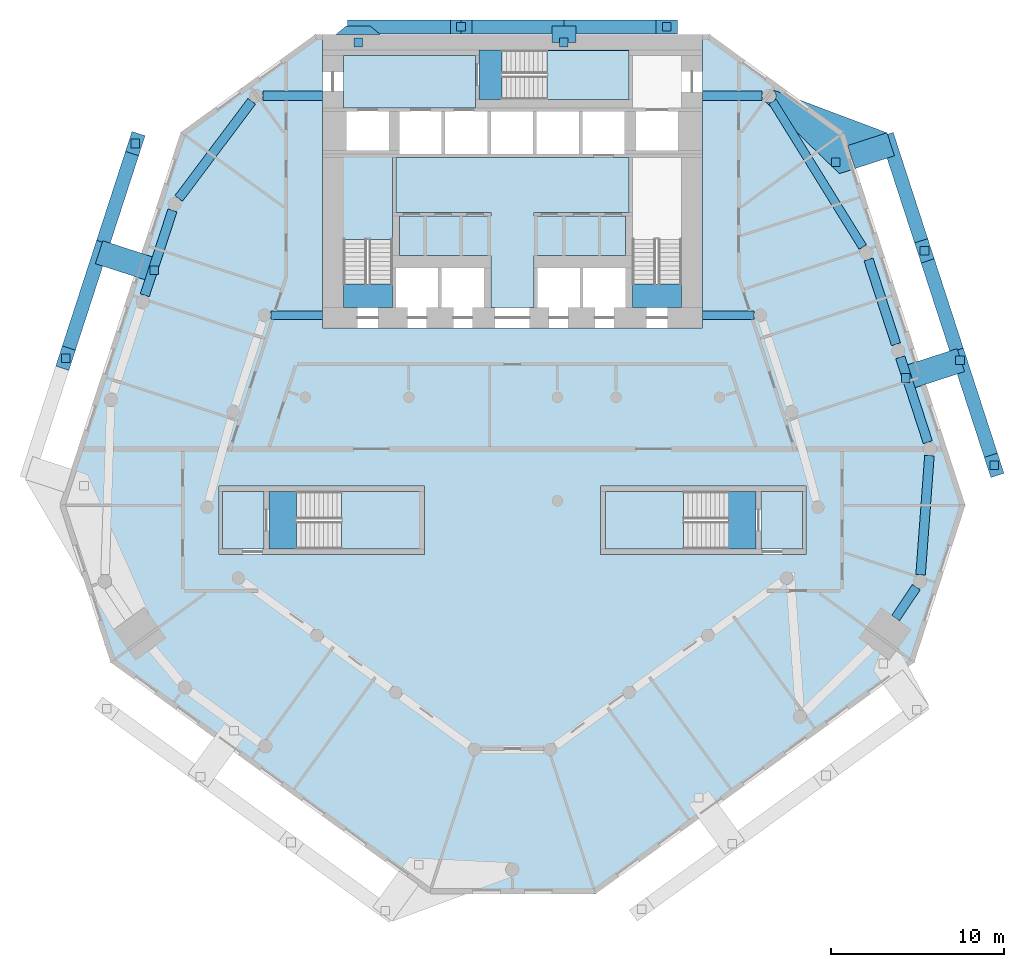
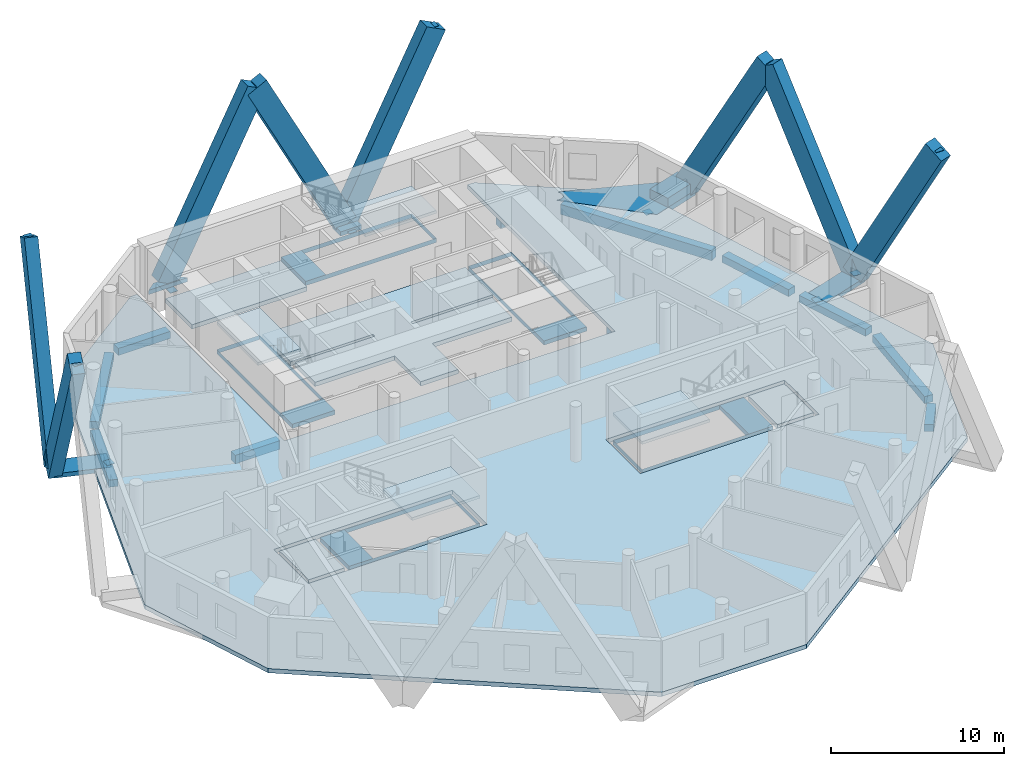
# One storey, part 2 of 10: 14 members, 14 slabs, 12 discrete accessories, 11 beams, 4 elements without a shape of their own.
"""IFC4 building model written with IfcOpenShell, lengths in metres."""

from ifc_helpers import new_model, si_unit, direction, frame, origin, origin_2d, place, context, subcontext, project, spatial, polyline, rectangle, outline, extrude, material, layer, layer_set, material_profile, profile_set, type_object, element, aggregate, save


model = new_model("IFC4")

# Units and contexts
model_context = context("Model", 3, precision=1e-05, world=origin(), true_north=direction((0.0, 1.0)))
body_context = subcontext(model_context, "Body", "Model", "MODEL_VIEW")
ifc_project = project(units=[si_unit("LENGTHUNIT", "METRE"), si_unit("AREAUNIT", "SQUARE_METRE"), si_unit("VOLUMEUNIT", "CUBIC_METRE"), si_unit("PLANEANGLEUNIT", "RADIAN"), si_unit("MASSUNIT", "GRAM", prefix="KILO")], contexts=[model_context])

# Site, building, storey
site_placement = place(None, origin())
site = spatial("IfcSite", under=ifc_project, at=site_placement, CompositionType="ELEMENT")
building_placement = place(site_placement, origin())
building = spatial("IfcBuilding", under=site, at=building_placement, Name="White Candle Pilgrim Tower", CompositionType="ELEMENT")
storey_placement = place(building_placement, frame((0.0, 0.0, 54.60009765625)))
storey = spatial("IfcBuildingStorey", under=building, at=storey_placement, Name="L10", CompositionType="ELEMENT", Elevation=54.60009765625)

# Member
ifc_material_1 = material(Name="Concrete C80/95, white", Category="concrete")
ifc_material_profile_1 = material_profile(ifc_material_1, rectangle(XDim=0.800048828125, YDim=1.39990234375, at=origin_2d()), Name="RC-DG 800x1400")
ifc_profile_set_1 = profile_set([ifc_material_profile_1], Name="Concrete C80/95, white")
member_type_1 = type_object("IfcMemberType", Name="Exoskeleton diagonal RC-DG 800x1400 C80/95", PredefinedType="BRACE", material=ifc_profile_set_1)
member_1_placement = place(storey_placement, frame((72.97900390625, 88.449951171875, 0.0), z_axis=(0.453783992732, 0.0, 0.891111714624), x_axis=(0.0, 1.0, 0.0)))
member_1 = element("IfcMember", 1, at=member_1_placement, inside=storey, type_object=member_type_1, Name="Exoskeleton diagonal EX004", PredefinedType="BRACE", context=body_context, shape_type="SweptSolid", body=[
    extrude(rectangle(XDim=0.800048828125, YDim=1.39990234375, at=origin_2d()), origin(), (0.0, 0.0, 1.0), 13.129638671875),
])

member_2_placement = place(storey_placement, frame((72.97900390625, 88.449951171875, 0.0), z_axis=(-0.453783992732, 0.0, 0.891111714624), x_axis=(0.0, -1.0, 0.0)))
member_2 = element("IfcMember", 2, at=member_2_placement, inside=storey, type_object=member_type_1, Name="Exoskeleton diagonal EX005", PredefinedType="BRACE", context=body_context, shape_type="SweptSolid", body=[
    extrude(rectangle(XDim=0.800048828125, YDim=1.39990234375, at=origin_2d()), origin(), (0.0, 0.0, 1.0), 13.129638671875),
])

member_3_placement = place(storey_placement, frame((61.06298828125, 88.449951171875, 0.0), z_axis=(0.453783992732, 0.0, 0.891111714624), x_axis=(0.0, 1.0, 0.0)))
element("IfcMember", 3, at=member_3_placement, inside=storey, type_object=member_type_1, Name="Exoskeleton diagonal EX006", PredefinedType="BRACE", context=body_context, shape_type="SweptSolid", body=[
    extrude(rectangle(XDim=0.800048828125, YDim=1.39990234375, at=origin_2d()), origin(), (0.0, 0.0, 1.0), 13.129638671875),
])

member_4_placement = place(storey_placement, frame((95.92333984375, 69.13525390625, 0.0), z_axis=(0.14819090652, -0.45607202628, 0.877517955411), x_axis=(0.951053989888, 0.30902476975, 0.0)))
member_4 = element("IfcMember", 4, at=member_4_placement, inside=storey, type_object=member_type_1, Name="Exoskeleton diagonal EX016", PredefinedType="BRACE", context=body_context, shape_type="SweptSolid", body=[
    extrude(rectangle(XDim=0.800048828125, YDim=1.39990234375, at=origin_2d()), origin(), (0.0, 0.0, 1.0), 13.3330078125),
])

member_5_placement = place(storey_placement, frame((95.92333984375, 69.13525390625, 0.0), z_axis=(-0.153061280626, 0.471129292368, 0.868682585439), x_axis=(-0.951067138968, -0.308984299236, 0.0)))
member_5 = element("IfcMember", 5, at=member_5_placement, inside=storey, type_object=member_type_1, Name="Exoskeleton diagonal EX017", PredefinedType="BRACE", context=body_context, shape_type="SweptSolid", body=[
    extrude(rectangle(XDim=0.800048828125, YDim=1.39990234375, at=origin_2d()), origin(), (0.0, 0.0, 1.0), 13.468505859375),
])

member_6_placement = place(storey_placement, frame((91.861572265625, 81.63623046875, 0.0), z_axis=(0.149597129477, -0.460367682838, 0.875032739645), x_axis=(0.951047650614, 0.309044278804, 0.0)))
element("IfcMember", 6, at=member_6_placement, inside=storey, type_object=member_type_1, Name="Exoskeleton diagonal EX018", PredefinedType="BRACE", context=body_context, shape_type="SweptSolid", body=[
    extrude(rectangle(XDim=0.800048828125, YDim=1.39990234375, at=origin_2d()), origin(), (0.0, 0.0, 1.0), 13.370849609375),
])

member_7_placement = place(storey_placement, frame((46.107421875, 75.3857421875, 0.0), z_axis=(0.152393721239, 0.469016864282, 0.869942144482), x_axis=(-0.951055977459, 0.309018652737, 0.0)))
member_7 = element("IfcMember", 7, at=member_7_placement, inside=storey, type_object=member_type_1, Name="Exoskeleton diagonal EX052", PredefinedType="BRACE", context=body_context, shape_type="SweptSolid", body=[
    extrude(rectangle(XDim=0.800048828125, YDim=1.39990234375, at=origin_2d()), origin(), (0.0, 0.0, 1.0), 13.44921875),
])

member_8_placement = place(storey_placement, frame((46.107421875, 75.3857421875, 0.0), z_axis=(-0.148877630459, -0.458225671741, 0.876278885348), x_axis=(0.951061954522, -0.309000256733, 0.0)))
member_8 = element("IfcMember", 8, at=member_8_placement, inside=storey, type_object=member_type_1, Name="Exoskeleton diagonal EX053", PredefinedType="BRACE", context=body_context, shape_type="SweptSolid", body=[
    extrude(rectangle(XDim=0.800048828125, YDim=1.39990234375, at=origin_2d()), origin(), (0.0, 0.0, 1.0), 13.351806640625),
])

ifc_material_2 = material(Name="Concrete C70/85, white", Category="concrete")
ifc_layer_1 = layer(ifc_material_2, 0.300048828125)
ifc_layer_set_1 = layer_set([ifc_layer_1], Name="Node tie strut 3350x1400x300 C70/85")
member_type_2 = type_object("IfcMemberType", Name="Node tie strut 3350x1400x300 C70/85", PredefinedType="STRUT", material=ifc_layer_set_1)
member_9_placement = place(storey_placement, frame((94.3779296875, 68.633056640625, -0.30029296875), z_axis=(0.0, 0.0, 1.0), x_axis=(-0.309016994375, 0.951056516295, 0.0)))
member_9 = element("IfcMember", 9, at=member_9_placement, inside=storey, type_object=member_type_2, Name="Node tie strut NC011", PredefinedType="STRUT", context=body_context, shape_type="SweptSolid", body=[
    extrude(rectangle(XDim=1.39990234375, YDim=3.35009765625, at=origin_2d()), origin(), (0.0, 0.0, 1.0), 0.300048828125),
])

member_10_placement = place(storey_placement, frame((0.0, 0.0, -0.35009765625)))
member_10 = element("IfcMember", 10, at=member_10_placement, inside=storey, type_object=member_type_2, Name="Node tie strut NC012", PredefinedType="STRUT", context=body_context, shape_type="SweptSolid", body=[
    extrude(outline(polyline([(88.939453125, 79.950927734375), (92.12548828125, 80.986083984375), (91.69287109375, 82.3173828125), (84.988525390625, 84.8388671875), (85.01318359375, 84.82958984375), (85.036865234375, 84.818603515625), (85.06005859375, 84.806396484375), (85.082275390625, 84.79248046875), (85.103515625, 84.77734375), (85.123779296875, 84.7607421875), (85.142822265625, 84.742919921875), (85.16064453125, 84.7236328125), (85.17724609375, 84.70361328125), (85.192626953125, 84.68212890625), (85.206298828125, 84.659912109375), (85.21875, 84.636962890625), (85.2294921875, 84.613037109375), (85.23876953125, 84.588623046875), (85.246337890625, 84.5634765625), (85.252197265625, 84.5380859375), (85.256591796875, 84.51220703125), (85.259033203125, 84.486083984375), (85.260009765625, 84.4599609375), (85.259033203125, 84.433837890625), (85.256591796875, 84.40771484375), (85.252197265625, 84.382080078125), (85.246337890625, 84.3564453125), (85.23876953125, 84.331298828125), (85.2294921875, 84.306884765625), (85.21875, 84.283203125), (85.206298828125, 84.260009765625), (85.192626953125, 84.23779296875), (85.17724609375, 84.216552734375), (85.16064453125, 84.1962890625), (85.142822265625, 84.17724609375), (85.123779296875, 84.1591796875), (85.103515625, 84.142578125), (85.082275390625, 84.12744140625), (85.06005859375, 84.113525390625), (85.036865234375, 84.101318359375), (85.01318359375, 84.09033203125), (84.988525390625, 84.081298828125), (84.96337890625, 84.073486328125), (84.93798828125, 84.067626953125), (84.912109375, 84.0634765625), (84.88623046875, 84.060791015625), (84.860107421875, 84.06005859375), (84.833740234375, 84.060791015625), (84.807861328125, 84.0634765625), (84.781982421875, 84.067626953125), (84.756591796875, 84.073486328125), (84.7314453125, 84.081298828125), (84.706787109375, 84.09033203125), (84.68310546875, 84.101318359375), (84.659912109375, 84.113525390625), (84.6376953125, 84.12744140625), (84.616455078125, 84.142578125), (84.59619140625, 84.1591796875), (84.5771484375, 84.17724609375), (88.939453125, 79.950927734375)])), origin(), (0.0, 0.0, 1.0), 0.35009765625),
])

member_11_placement = place(storey_placement, origin())
element("IfcMember", 11, at=member_11_placement, inside=storey, type_object=member_type_2, Name="Node tie strut NC012", PredefinedType="STRUT", context=body_context, shape_type="SweptSolid", body=[
    extrude(outline(polyline([(89.843017578125, 80.244384765625), (92.12548828125, 80.986083984375), (91.69287109375, 82.3173828125), (89.410400390625, 81.575927734375), (89.843017578125, 80.244384765625)])), origin(), (0.0, 0.0, 1.0), 0.64990234375),
])

member_12_placement = place(storey_placement, frame((47.653076171875, 74.883544921875, -0.30029296875), z_axis=(0.0, 0.0, 1.0), x_axis=(-0.309016994375, -0.951056516295, 0.0)))
member_12 = element("IfcMember", 12, at=member_12_placement, inside=storey, type_object=member_type_2, Name="Node tie strut NC019", PredefinedType="STRUT", context=body_context, shape_type="SweptSolid", body=[
    extrude(rectangle(XDim=1.39990234375, YDim=3.35009765625, at=origin_2d()), origin(), (0.0, 0.0, 1.0), 0.300048828125),
])

ifc_layer_2 = layer(ifc_material_2, 0.300048828125)
ifc_layer_set_2 = layer_set([ifc_layer_2], Name="Node tie strut 950x1400x300 C70/85")
member_type_3 = type_object("IfcMemberType", Name="Node tie strut 950x1400x300 C70/85", PredefinedType="STRUT", material=ifc_layer_set_2)
member_13_placement = place(storey_placement, frame((72.97900390625, 88.02490234375, -0.30029296875), z_axis=(0.0, 0.0, 1.0), x_axis=(-1.0, 0.0, 0.0)))
member_13 = element("IfcMember", 13, at=member_13_placement, inside=storey, type_object=member_type_3, Name="Node tie strut NC013", PredefinedType="STRUT", context=body_context, shape_type="SweptSolid", body=[
    extrude(rectangle(XDim=1.39990234375, YDim=0.949951171875, at=origin_2d()), origin(), (0.0, 0.0, 1.0), 0.300048828125),
])

member_14_placement = place(storey_placement, frame((0.0, 0.0, -0.300048828125)))
member_14 = element("IfcMember", 14, at=member_14_placement, inside=storey, type_object=member_type_3, Name="Node tie strut NC014", PredefinedType="STRUT", context=body_context, shape_type="SweptSolid", body=[
    extrude(outline(polyline([(59.762939453125, 88.0), (62.363037109375, 88.0), (61.762939453125, 88.5), (60.363037109375, 88.5), (59.762939453125, 88.0)])), origin(), (0.0, 0.0, 1.0), 0.300048828125),
])

# Beams
ifc_material_3 = material(Name="Concrete C50/60", Category="concrete")
ifc_material_profile_2 = material_profile(ifc_material_3, rectangle(XDim=0.5, YDim=0.60009765625, at=origin_2d()), Name="RC-BM 500x600")
ifc_profile_set_2 = profile_set([ifc_material_profile_2], Name="Concrete C50/60")
beam_type_1 = type_object("IfcBeamType", Name="Ring beam RC-BM 500x600 C50/60", PredefinedType="BEAM", material=ifc_profile_set_2)
for number, where, z_axis, x_axis, name in (
    (15, (83.985107421875, 71.760009765625, -0.60009765625), (-1.0, 0.0, 0.0), (0.0, -1.0, 0.0), "L10 ring beam R10"),
    (16, (56.014892578125, 71.760009765625, -0.60009765625), (1.0, 0.0, 0.0), (0.0, 1.0, 0.0), "L10 ring beam R11"),
):
    element("IfcBeam", number, at=place(storey_placement, frame(where, z_axis=z_axis, x_axis=x_axis)), inside=storey, type_object=beam_type_1, Name=name, PredefinedType="BEAM", context=body_context, shape_type="SweptSolid", body=[
        extrude(rectangle(XDim=0.5, YDim=0.60009765625, at=origin_2d()), origin(), (0.0, 0.0, 1.0), 2.985107421875),
    ])
ifc_material_profile_3 = material_profile(ifc_material_3, rectangle(XDim=0.5, YDim=0.699951171875, at=origin_2d()), Name="RC-BM 500x700")
ifc_profile_set_3 = profile_set([ifc_material_profile_3], Name="Concrete C50/60")
beam_type_2 = type_object("IfcBeamType", Name="Spandrel beam RC-BM 500x700 C50/60", PredefinedType="BEAM", material=ifc_profile_set_3)
beam_1_placement = place(storey_placement, frame((90.289306640625, 75.69970703125, -0.650146484375), z_axis=(-0.526800809553, 0.849988768781, 0.0), x_axis=(-0.849988768781, -0.526800809553, 0.0)))
element("IfcBeam", 17, at=beam_1_placement, inside=storey, type_object=beam_type_2, Name="L10 spandrel beam T10", PredefinedType="BEAM", context=body_context, shape_type="SweptSolid", body=[
    extrude(rectangle(XDim=0.5, YDim=0.699951171875, at=origin_2d()), origin(), (0.0, 0.0, 1.0), 9.906494140625),
])
ifc_material_profile_4 = material_profile(ifc_material_3, rectangle(XDim=0.550048828125, YDim=0.5, at=origin_2d()), Name="RC-BM 550x500")
ifc_profile_set_4 = profile_set([ifc_material_profile_4], Name="Concrete C50/60")
beam_type_3 = type_object("IfcBeamType", Name="Spandrel beam RC-BM 550x500 C50/60", PredefinedType="BEAM", material=ifc_profile_set_4)
beam_2_placement = place(storey_placement, frame((92.192626953125, 54.214599609375, -0.550048828125), z_axis=(0.556641005169, 0.830753147069, 0.0), x_axis=(-0.830753147069, 0.556641005169, 0.0)))
element("IfcBeam", 18, at=beam_2_placement, inside=storey, type_object=beam_type_3, Name="L10 spandrel beam T06", PredefinedType="BEAM", context=body_context, shape_type="SweptSolid", body=[
    extrude(rectangle(XDim=0.550048828125, YDim=0.5, at=origin_2d()), origin(), (0.0, 0.0, 1.0), 2.146484375),
])
beam_3_placement = place(storey_placement, frame((93.6396484375, 56.728759765625, -0.550048828125), z_axis=(0.073900311906, 0.99726563357, 0.0), x_axis=(-0.99726563357, 0.073900311906, 0.0)))
element("IfcBeam", 19, at=beam_3_placement, inside=storey, type_object=beam_type_3, Name="L10 spandrel beam T07", PredefinedType="BEAM", context=body_context, shape_type="SweptSolid", body=[
    extrude(rectangle(XDim=0.550048828125, YDim=0.5, at=origin_2d()), origin(), (0.0, 0.0, 1.0), 6.9111328125),
])
for number, where, z_axis, x_axis, name in (
    (20, (94.056640625, 64.400390625, -0.550048828125), (-0.308682827488, 0.951165028801, 0.0), (-0.951165028801, -0.308682827488, 0.0), "L10 spandrel beam T08"),
    (21, (92.216552734375, 70.0703125, -0.550048828125), (-0.308682827488, 0.951165028801, 0.0), (-0.951165028801, -0.308682827488, 0.0), "L10 spandrel beam T09"),
):
    element("IfcBeam", number, at=place(storey_placement, frame(where, z_axis=z_axis, x_axis=x_axis)), inside=storey, type_object=beam_type_3, Name=name, PredefinedType="BEAM", context=body_context, shape_type="SweptSolid", body=[
        extrude(rectangle(XDim=0.550048828125, YDim=0.5, at=origin_2d()), origin(), (0.0, 0.0, 1.0), 5.161376953125),
    ])
for number, where, z_axis, x_axis, name in (
    (22, (84.4599609375, 84.4599609375, -0.550048828125), (-1.0, 0.0, 0.0), (0.0, -1.0, 0.0), "L10 spandrel beam T11"),
    (23, (55.5400390625, 84.4599609375, -0.550048828125), (1.0, 0.0, 0.0), (0.0, 1.0, 0.0), "L10 spandrel beam T12"),
):
    element("IfcBeam", number, at=place(storey_placement, frame(where, z_axis=z_axis, x_axis=x_axis)), inside=storey, type_object=beam_type_3, Name=name, PredefinedType="BEAM", context=body_context, shape_type="SweptSolid", body=[
        extrude(rectangle(XDim=0.550048828125, YDim=0.5, at=origin_2d()), origin(), (0.0, 0.0, 1.0), 3.4599609375),
    ])
beam_4_placement = place(storey_placement, frame((54.899658203125, 84.140380859375, -0.550048828125), z_axis=(-0.601237643972, -0.79907026942, 0.0), x_axis=(0.79907026942, -0.601237643972, 0.0)))
element("IfcBeam", 24, at=beam_4_placement, inside=storey, type_object=beam_type_3, Name="L10 spandrel beam T13", PredefinedType="BEAM", context=body_context, shape_type="SweptSolid", body=[
    extrude(rectangle(XDim=0.550048828125, YDim=0.5, at=origin_2d()), origin(), (0.0, 0.0, 1.0), 7.0341796875),
])
beam_5_placement = place(storey_placement, frame((50.305908203125, 77.81982421875, -0.550048828125), z_axis=(-0.310165508273, -0.950682574511, 0.0), x_axis=(0.950682574511, -0.310165508273, 0.0)))
element("IfcBeam", 25, at=beam_5_placement, inside=storey, type_object=beam_type_3, Name="L10 spandrel beam T14", PredefinedType="BEAM", context=body_context, shape_type="SweptSolid", body=[
    extrude(rectangle(XDim=0.550048828125, YDim=0.5, at=origin_2d()), origin(), (0.0, 0.0, 1.0), 5.164306640625),
])

# Slabs
ifc_material_4 = material(Name="Concrete C40/50", Category="concrete")
ifc_layer_3 = layer(ifc_material_4, 0.300048828125)
ifc_layer_set_3 = layer_set([ifc_layer_3], Name="Core floor slab 300 mm Concrete C40/50")
slab_type_1 = type_object("IfcSlabType", Name="Core floor slab 300 mm Concrete C40/50", PredefinedType="FLOOR", material=ifc_layer_set_3)
slab_1_placement = place(storey_placement, frame((0.0, 0.0, -0.300048828125)))
element("IfcSlab", 26, at=slab_1_placement, inside=storey, type_object=slab_type_1, Name="CF-L10-01", PredefinedType="FLOOR", context=body_context, shape_type="SweptSolid", body=[
    extrude(outline(polyline([(55.60009765625, 58.199951171875), (53.199951171875, 58.199951171875), (53.199951171875, 61.550048828125), (55.60009765625, 61.550048828125), (55.60009765625, 58.199951171875)])), origin(), (0.0, 0.0, 1.0), 0.300048828125),
])
slab_2_placement = place(storey_placement, frame((0.0, 0.0, -0.300048828125)))
element("IfcSlab", 27, at=slab_2_placement, inside=storey, type_object=slab_type_1, Name="CF-L10-02", PredefinedType="FLOOR", context=body_context, shape_type="SweptSolid", body=[
    extrude(outline(polyline([(55.89990234375, 58.199951171875), (55.89990234375, 61.550048828125), (64.60009765625, 61.550048828125), (64.60009765625, 58.199951171875), (55.89990234375, 58.199951171875)]), holes=[polyline([(57.501953125, 61.548095703125), (57.501953125, 58.201904296875), (64.597900390625, 58.201904296875), (64.597900390625, 61.548095703125), (57.501953125, 61.548095703125)])]), origin(), (0.0, 0.0, 1.0), 0.300048828125),
])
slab_3_placement = place(storey_placement, frame((0.0, 0.0, -0.300048828125)))
element("IfcSlab", 28, at=slab_3_placement, inside=storey, type_object=slab_type_1, Name="CF-L10-03", PredefinedType="FLOOR", context=body_context, shape_type="SweptSolid", body=[
    extrude(outline(polyline([(75.39990234375, 58.199951171875), (75.39990234375, 61.550048828125), (84.10009765625, 61.550048828125), (84.10009765625, 58.199951171875), (75.39990234375, 58.199951171875)]), holes=[polyline([(82.498046875, 58.201904296875), (82.498046875, 61.548095703125), (75.402099609375, 61.548095703125), (75.402099609375, 58.201904296875), (82.498046875, 58.201904296875)])]), origin(), (0.0, 0.0, 1.0), 0.300048828125),
])
slab_4_placement = place(storey_placement, frame((0.0, 0.0, -0.300048828125)))
element("IfcSlab", 29, at=slab_4_placement, inside=storey, type_object=slab_type_1, Name="CF-L10-04", PredefinedType="FLOOR", context=body_context, shape_type="SweptSolid", body=[
    extrude(outline(polyline([(86.800048828125, 58.199951171875), (84.39990234375, 58.199951171875), (84.39990234375, 61.550048828125), (86.800048828125, 61.550048828125), (86.800048828125, 58.199951171875)])), origin(), (0.0, 0.0, 1.0), 0.300048828125),
])
slab_5_placement = place(storey_placement, frame((0.0, 0.0, -0.300048828125)))
element("IfcSlab", 30, at=slab_5_placement, inside=storey, type_object=slab_type_1, Name="CF-L10-05", PredefinedType="FLOOR", context=body_context, shape_type="SweptSolid", body=[
    extrude(outline(polyline([(76.75, 87.10009765625), (76.75, 86.800048828125), (76.75, 84.25), (68.050048828125, 84.25), (68.050048828125, 86.800048828125), (68.050048828125, 87.10009765625), (76.75, 87.10009765625)]), holes=[polyline([(69.402099609375, 87.097900390625), (69.402099609375, 84.251953125), (76.748046875, 84.251953125), (76.748046875, 87.097900390625), (69.402099609375, 87.097900390625)])]), origin(), (0.0, 0.0, 1.0), 0.300048828125),
])
slab_6_placement = place(storey_placement, frame((0.0, 0.0, -0.300048828125)))
element("IfcSlab", 31, at=slab_6_placement, inside=storey, type_object=slab_type_1, Name="CF-L10-07", PredefinedType="FLOOR", context=body_context, shape_type="SweptSolid", body=[
    extrude(outline(polyline([(79.800048828125, 72.199951171875), (76.949951171875, 72.199951171875), (76.949951171875, 74.5), (76.949951171875, 75.199951171875), (76.949951171875, 77.5), (76.949951171875, 77.699951171875), (76.949951171875, 80.89990234375), (79.800048828125, 80.89990234375), (79.800048828125, 72.199951171875)]), holes=[polyline([(76.951904296875, 73.552001953125), (79.798095703125, 73.552001953125), (79.798095703125, 80.89794921875), (76.951904296875, 80.89794921875), (76.951904296875, 73.552001953125)])]), origin(), (0.0, 0.0, 1.0), 0.300048828125),
])
slab_7_placement = place(storey_placement, frame((0.0, 0.0, -0.300048828125)))
element("IfcSlab", 32, at=slab_7_placement, inside=storey, type_object=slab_type_1, Name="CF-L10-08", PredefinedType="FLOOR", context=body_context, shape_type="SweptSolid", body=[
    extrude(outline(polyline([(68.75, 72.199951171875), (68.75, 74.5), (68.75, 75.199951171875), (63.449951171875, 75.199951171875), (63.449951171875, 77.5), (68.75, 77.5), (68.75, 77.699951171875), (63.25, 77.699951171875), (63.25, 80.89990234375), (76.75, 80.89990234375), (76.75, 77.699951171875), (71.25, 77.699951171875), (71.25, 77.5), (76.550048828125, 77.5), (76.550048828125, 75.199951171875), (71.25, 75.199951171875), (71.25, 74.5), (71.25, 72.199951171875), (68.75, 72.199951171875)])), origin(), (0.0, 0.0, 1.0), 0.300048828125),
])
slab_8_placement = place(storey_placement, frame((0.0, 0.0, -0.300048828125)))
element("IfcSlab", 33, at=slab_8_placement, inside=storey, type_object=slab_type_1, Name="CF-L10-09", PredefinedType="FLOOR", context=body_context, shape_type="SweptSolid", body=[
    extrude(outline(polyline([(60.199951171875, 72.199951171875), (60.199951171875, 80.89990234375), (63.050048828125, 80.89990234375), (63.050048828125, 77.699951171875), (63.050048828125, 77.5), (63.050048828125, 75.199951171875), (63.050048828125, 74.5), (63.050048828125, 72.199951171875), (60.199951171875, 72.199951171875)]), holes=[polyline([(60.201904296875, 73.552001953125), (63.048095703125, 73.552001953125), (63.048095703125, 80.89794921875), (60.201904296875, 80.89794921875), (60.201904296875, 73.552001953125)])]), origin(), (0.0, 0.0, 1.0), 0.300048828125),
])
slab_9_placement = place(storey_placement, frame((0.0, 0.0, -0.300048828125)))
element("IfcSlab", 34, at=slab_9_placement, inside=storey, type_object=slab_type_1, Name="CF-L10-10", PredefinedType="FLOOR", context=body_context, shape_type="SweptSolid", body=[
    extrude(outline(polyline([(60.199951171875, 86.800048828125), (67.85009765625, 86.800048828125), (67.85009765625, 84.25), (67.85009765625, 83.75), (60.199951171875, 83.75), (60.199951171875, 86.800048828125)])), origin(), (0.0, 0.0, 1.0), 0.300048828125),
])
ifc_layer_4 = layer(ifc_material_4, 0.300048828125)
ifc_layer_set_4 = layer_set([ifc_layer_4], Name="Floor slab 300 REI 120")
slab_type_2 = type_object("IfcSlabType", Name="Floor slab 300 REI 120", PredefinedType="FLOOR", material=ifc_layer_set_4)
slab_10_placement = place(storey_placement, frame((0.0, 0.0, -0.300048828125)))
element("IfcSlab", 35, at=slab_10_placement, inside=storey, type_object=slab_type_2, Name="L10 floor slab", PredefinedType="FLOOR", context=body_context, shape_type="SweptSolid", body=[
    extrude(outline(polyline([(65.18798828125, 38.235595703125), (74.81201171875, 38.235595703125), (93.274169921875, 51.64892578125), (96.23046875, 60.747314453125), (89.210693359375, 82.352294921875), (81.43701171875, 88.0), (81.0, 88.0), (81.0, 71.0), (59.0, 71.0), (59.0, 88.0), (58.56298828125, 88.0), (50.789306640625, 82.352294921875), (43.76953125, 60.747314453125), (46.725830078125, 51.64892578125), (65.18798828125, 38.235595703125)]), holes=[polyline([(53.0, 57.89990234375), (53.0, 61.85009765625), (64.89990234375, 61.85009765625), (64.89990234375, 57.89990234375), (53.0, 57.89990234375)]), polyline([(75.10009765625, 57.89990234375), (75.10009765625, 61.85009765625), (87.0, 61.85009765625), (87.0, 57.89990234375), (75.10009765625, 57.89990234375)])]), origin(), (0.0, 0.0, 1.0), 0.300048828125),
])

# Stair, slab
stair_type_1 = type_object("IfcStairType", Name="Exit stair 1 flight width 1350 mm", PredefinedType="HALF_TURN_STAIR", material=ifc_material_4)
stair_1_placement = place(storey_placement, origin())
stair_1 = element("IfcStair", 36, at=stair_1_placement, inside=storey, type_object=stair_type_1, Name="L10 stair 1", PredefinedType="NOTDEFINED")
ifc_layer_5 = layer(ifc_material_4, 0.199951171875)
ifc_layer_set_5 = layer_set([ifc_layer_5], Name="Stair landing Concrete C40/50")
slab_type_3 = type_object("IfcSlabType", Name="Stair landing Concrete C40/50", PredefinedType="LANDING", material=ifc_layer_set_5)
slab_11_placement = place(storey_placement, frame((0.0, 0.0, 1.75)))
slab_11 = element("IfcSlab", 37, at=slab_11_placement, type_object=slab_type_3, Name="ST1 landing 1", PredefinedType="LANDING", context=body_context, shape_type="SweptSolid", body=[
    extrude(outline(polyline([(63.052001953125, 76.14794921875), (60.197998046875, 76.14794921875), (60.197998046875, 80.902099609375), (63.052001953125, 80.902099609375), (63.052001953125, 76.14794921875)])), origin(), (0.0, 0.0, 1.0), 0.199951171875),
])
aggregate(stair_1, [slab_11])

stair_type_2 = type_object("IfcStairType", Name="Exit stair 3 flight width 1350 mm", PredefinedType="HALF_TURN_STAIR", material=ifc_material_4)
stair_2_placement = place(storey_placement, origin())
stair_2 = element("IfcStair", 38, at=stair_2_placement, inside=storey, type_object=stair_type_2, Name="L10 stair 3", PredefinedType="NOTDEFINED")
slab_12_placement = place(storey_placement, frame((0.0, 0.0, 1.75)))
slab_12 = element("IfcSlab", 39, at=slab_12_placement, type_object=slab_type_3, Name="ST3 landing 1", PredefinedType="LANDING", context=body_context, shape_type="SweptSolid", body=[
    extrude(outline(polyline([(71.998046875, 84.248046875), (71.998046875, 87.10205078125), (76.751953125, 87.10205078125), (76.751953125, 84.248046875), (71.998046875, 84.248046875)])), origin(), (0.0, 0.0, 1.0), 0.199951171875),
])
aggregate(stair_2, [slab_12])

stair_type_3 = type_object("IfcStairType", Name="Exit stair 4 flight width 1600 mm", PredefinedType="HALF_TURN_STAIR", material=ifc_material_4)
stair_3_placement = place(storey_placement, origin())
stair_3 = element("IfcStair", 40, at=stair_3_placement, inside=storey, type_object=stair_type_3, Name="L10 stair 4", PredefinedType="NOTDEFINED")
slab_13_placement = place(storey_placement, frame((0.0, 0.0, 1.75)))
slab_13 = element("IfcSlab", 41, at=slab_13_placement, type_object=slab_type_3, Name="ST4 landing 1", PredefinedType="LANDING", context=body_context, shape_type="SweptSolid", body=[
    extrude(outline(polyline([(79.902099609375, 61.552001953125), (79.902099609375, 58.197998046875), (75.39794921875, 58.197998046875), (75.39794921875, 61.552001953125), (79.902099609375, 61.552001953125)])), origin(), (0.0, 0.0, 1.0), 0.199951171875),
])
aggregate(stair_3, [slab_13])

stair_type_4 = type_object("IfcStairType", Name="Exit stair 5 flight width 1600 mm", PredefinedType="HALF_TURN_STAIR", material=ifc_material_4)
stair_4_placement = place(storey_placement, origin())
stair_4 = element("IfcStair", 42, at=stair_4_placement, inside=storey, type_object=stair_type_4, Name="L10 stair 5", PredefinedType="NOTDEFINED")
slab_14_placement = place(storey_placement, frame((0.0, 0.0, 1.75)))
slab_14 = element("IfcSlab", 43, at=slab_14_placement, type_object=slab_type_3, Name="ST5 landing 1", PredefinedType="LANDING", context=body_context, shape_type="SweptSolid", body=[
    extrude(outline(polyline([(60.097900390625, 58.197998046875), (60.097900390625, 61.552001953125), (64.60205078125, 61.552001953125), (64.60205078125, 58.197998046875), (60.097900390625, 58.197998046875)])), origin(), (0.0, 0.0, 1.0), 0.199951171875),
])
aggregate(stair_4, [slab_14])

# Discrete accessory
ifc_material_5 = material(Name="Steel S355", Category="steel")
ifc_layer_6 = layer(ifc_material_5, 0.02490234375)
ifc_layer_set_6 = layer_set([ifc_layer_6], Name="Gusset plate 500x500x25 S355")
discrete_accessory_type = type_object("IfcDiscreteAccessoryType", Name="Gusset plate 500x500x25 S355", PredefinedType="BRACKET", material=ifc_layer_set_6)
placement = place(building_placement, frame((0.0, 0.0, 66.300048828125)))
discrete_accessory_1_placement = place(placement, frame((78.93701171875, 88.449951171875, -0.012451171875), z_axis=(0.0, 0.0, 1.0), x_axis=(1.0, 0.0, 0.0)))
discrete_accessory_1 = element("IfcDiscreteAccessory", 44, at=discrete_accessory_1_placement, type_object=discrete_accessory_type, Name="Gusset plate 0005", PredefinedType="BRACKET", context=body_context, shape_type="SweptSolid", body=[
    extrude(rectangle(XDim=0.5, YDim=0.5, at=origin_2d()), origin(), (0.0, 0.0, 1.0), 0.02490234375),
])

aggregate(member_1, [discrete_accessory_1])

discrete_accessory_2_placement = place(placement, frame((67.02099609375, 88.449951171875, -0.012451171875), z_axis=(0.0, 0.0, 1.0), x_axis=(1.0, 0.0, 0.0)))
discrete_accessory_2 = element("IfcDiscreteAccessory", 45, at=discrete_accessory_2_placement, type_object=discrete_accessory_type, Name="Gusset plate 0006", PredefinedType="BRACKET", context=body_context, shape_type="SweptSolid", body=[
    extrude(rectangle(XDim=0.5, YDim=0.5, at=origin_2d()), origin(), (0.0, 0.0, 1.0), 0.02490234375),
])

aggregate(member_2, [discrete_accessory_2])

discrete_accessory_3_placement = place(storey_placement, frame((95.92333984375, 69.13525390625, -0.012451171875), z_axis=(0.0, 0.0, 1.0), x_axis=(1.0, 0.0, 0.0)))
discrete_accessory_3 = element("IfcDiscreteAccessory", 46, at=discrete_accessory_3_placement, type_object=discrete_accessory_type, Name="Gusset plate 0015", PredefinedType="BRACKET", context=body_context, shape_type="SweptSolid", body=[
    extrude(rectangle(XDim=0.5, YDim=0.5, at=origin_2d()), origin(), (0.0, 0.0, 1.0), 0.02490234375),
])

discrete_accessory_4_placement = place(placement, frame((97.899169921875, 63.054443359375, -0.012451171875), z_axis=(0.0, 0.0, 1.0), x_axis=(1.0, 0.0, 0.0)))
discrete_accessory_4 = element("IfcDiscreteAccessory", 47, at=discrete_accessory_4_placement, type_object=discrete_accessory_type, Name="Gusset plate 0016", PredefinedType="BRACKET", context=body_context, shape_type="SweptSolid", body=[
    extrude(rectangle(XDim=0.5, YDim=0.5, at=origin_2d()), origin(), (0.0, 0.0, 1.0), 0.02490234375),
])

aggregate(member_4, [discrete_accessory_3, discrete_accessory_4])

discrete_accessory_5_placement = place(placement, frame((93.86181640625, 75.480712890625, -0.012451171875), z_axis=(0.0, 0.0, 1.0), x_axis=(1.0, 0.0, 0.0)))
discrete_accessory_5 = element("IfcDiscreteAccessory", 48, at=discrete_accessory_5_placement, type_object=discrete_accessory_type, Name="Gusset plate 0017", PredefinedType="BRACKET", context=body_context, shape_type="SweptSolid", body=[
    extrude(rectangle(XDim=0.5, YDim=0.5, at=origin_2d()), origin(), (0.0, 0.0, 1.0), 0.02490234375),
])

aggregate(member_5, [discrete_accessory_5])

discrete_accessory_6_placement = place(placement, frame((48.156982421875, 81.693603515625, -0.012451171875), z_axis=(0.0, 0.0, 1.0), x_axis=(1.0, 0.0, 0.0)))
discrete_accessory_6 = element("IfcDiscreteAccessory", 49, at=discrete_accessory_6_placement, type_object=discrete_accessory_type, Name="Gusset plate 0061", PredefinedType="BRACKET", context=body_context, shape_type="SweptSolid", body=[
    extrude(rectangle(XDim=0.5, YDim=0.5, at=origin_2d()), origin(), (0.0, 0.0, 1.0), 0.02490234375),
])

aggregate(member_7, [discrete_accessory_6])

discrete_accessory_7_placement = place(placement, frame((44.11962890625, 69.267578125, -0.012451171875), z_axis=(0.0, 0.0, 1.0), x_axis=(1.0, 0.0, 0.0)))
discrete_accessory_7 = element("IfcDiscreteAccessory", 50, at=discrete_accessory_7_placement, type_object=discrete_accessory_type, Name="Gusset plate 0062", PredefinedType="BRACKET", context=body_context, shape_type="SweptSolid", body=[
    extrude(rectangle(XDim=0.5, YDim=0.5, at=origin_2d()), origin(), (0.0, 0.0, 1.0), 0.02490234375),
])

aggregate(member_8, [discrete_accessory_7])

discrete_accessory_8_placement = place(storey_placement, frame((92.784912109375, 68.115478515625, -0.16259765625), z_axis=(0.0, 0.0, 1.0), x_axis=(1.0, 0.0, 0.0)))
discrete_accessory_8 = element("IfcDiscreteAccessory", 51, at=discrete_accessory_8_placement, type_object=discrete_accessory_type, Name="Gusset plate 0392", PredefinedType="BRACKET", context=body_context, shape_type="SweptSolid", body=[
    extrude(rectangle(XDim=0.5, YDim=0.5, at=origin_2d()), origin(), (0.0, 0.0, 1.0), 0.02490234375),
])

aggregate(member_9, [discrete_accessory_8])

discrete_accessory_9_placement = place(storey_placement, frame((88.72314453125, 80.61669921875, -0.16259765625), z_axis=(0.0, 0.0, 1.0), x_axis=(1.0, 0.0, 0.0)))
discrete_accessory_9 = element("IfcDiscreteAccessory", 52, at=discrete_accessory_9_placement, type_object=discrete_accessory_type, Name="Gusset plate 0393", PredefinedType="BRACKET", context=body_context, shape_type="SweptSolid", body=[
    extrude(rectangle(XDim=0.5, YDim=0.5, at=origin_2d()), origin(), (0.0, 0.0, 1.0), 0.02490234375),
])

aggregate(member_10, [discrete_accessory_9])

discrete_accessory_10_placement = place(storey_placement, frame((72.97900390625, 87.550048828125, -0.16259765625), z_axis=(0.0, 0.0, 1.0), x_axis=(1.0, 0.0, 0.0)))
discrete_accessory_10 = element("IfcDiscreteAccessory", 53, at=discrete_accessory_10_placement, type_object=discrete_accessory_type, Name="Gusset plate 0394", PredefinedType="BRACKET", context=body_context, shape_type="SweptSolid", body=[
    extrude(rectangle(XDim=0.5, YDim=0.5, at=origin_2d()), origin(), (0.0, 0.0, 1.0), 0.02490234375),
])

aggregate(member_13, [discrete_accessory_10])

discrete_accessory_11_placement = place(storey_placement, frame((61.06298828125, 87.550048828125, -0.16259765625), z_axis=(0.0, 0.0, 1.0), x_axis=(1.0, 0.0, 0.0)))
discrete_accessory_11 = element("IfcDiscreteAccessory", 54, at=discrete_accessory_11_placement, type_object=discrete_accessory_type, Name="Gusset plate 0395", PredefinedType="BRACKET", context=body_context, shape_type="SweptSolid", body=[
    extrude(rectangle(XDim=0.5, YDim=0.5, at=origin_2d()), origin(), (0.0, 0.0, 1.0), 0.02490234375),
])

aggregate(member_14, [discrete_accessory_11])

discrete_accessory_12_placement = place(storey_placement, frame((49.24609375, 74.365966796875, -0.16259765625), z_axis=(0.0, 0.0, 1.0), x_axis=(1.0, 0.0, 0.0)))
discrete_accessory_12 = element("IfcDiscreteAccessory", 55, at=discrete_accessory_12_placement, type_object=discrete_accessory_type, Name="Gusset plate 0400", PredefinedType="BRACKET", context=body_context, shape_type="SweptSolid", body=[
    extrude(rectangle(XDim=0.5, YDim=0.5, at=origin_2d()), origin(), (0.0, 0.0, 1.0), 0.02490234375),
])

aggregate(member_12, [discrete_accessory_12])

save(model, "model.ifc")
